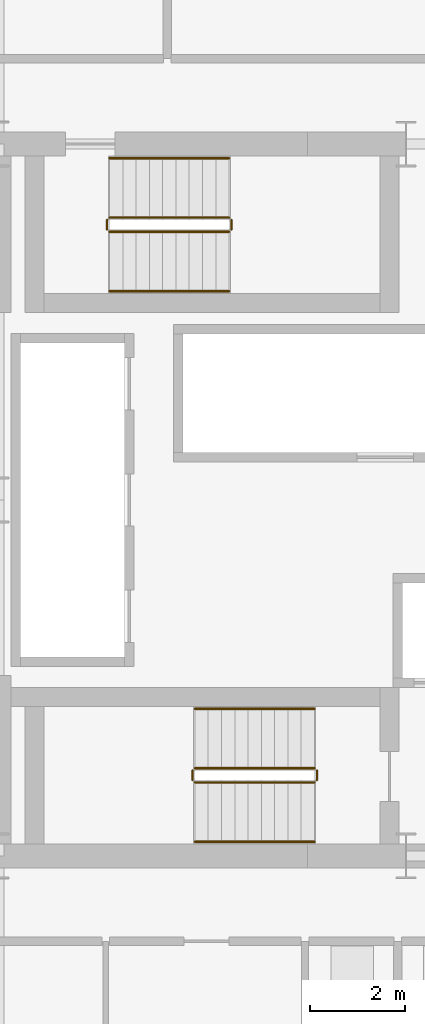
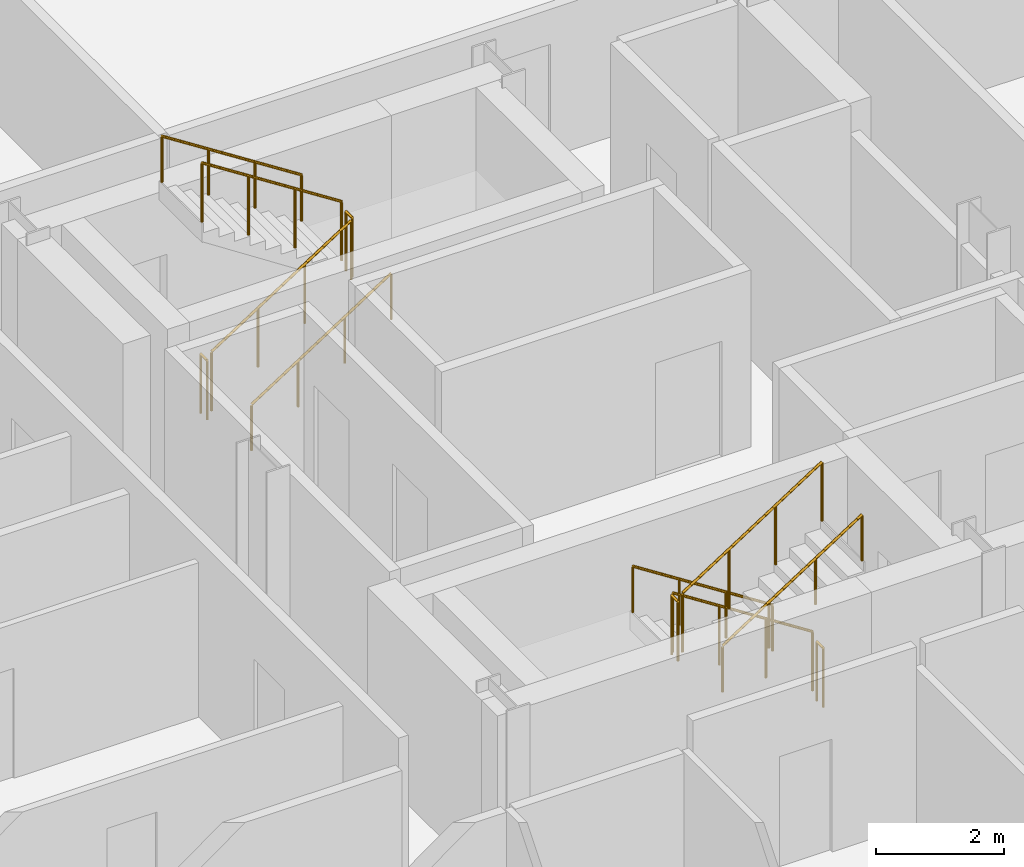
# One storey, part 26 of 27: 12 railings.
"""IFC4 building model written with IfcOpenShell, lengths in metres."""

import ifcopenshell
import ifcopenshell.guid

model = None  # the IFC model being written
_history = None  # IfcOwnerHistory: only IFC2X3 demands one
_inside = {}  # id of a spatial element -> (the spatial element, [elements in it])
_under = {}  # id of a project, library or spatial element -> (it, [spatial elements below it])
_declared = {}  # id of a project -> (the project, [libraries it declares])
_typed = {}  # id of a type object -> (the type object, [elements of that type])
_made_of = {}  # id of a material, layer set ... -> (it, [elements and type objects made of it])


def new_model(schema):
    """Start an empty IFC model of exactly this schema.

    Asked for "IFC4X3", IfcOpenShell would pick the latest addendum, in which some entities
    have other attributes; the version numbers below select the first issue.
    IFC2X3 requires an IfcOwnerHistory on every rooted entity: one is made here for all.
    """
    global model, _history
    if schema == "IFC4X3":
        model = ifcopenshell.file(schema_version=(4, 3, 0, 0))
    else:
        model = ifcopenshell.file(schema=schema)
    _inside.clear()
    _under.clear()
    _declared.clear()
    _typed.clear()
    _made_of.clear()
    _history = None
    if model.schema == "IFC2X3":
        org = make("IfcOrganization", Name="unknown")
        user = make(
            "IfcPersonAndOrganization",
            ThePerson=make("IfcPerson", FamilyName="unknown"),
            TheOrganization=org,
        )
        app = make(
            "IfcApplication",
            ApplicationDeveloper=org,
            Version="unknown",
            ApplicationFullName="unknown",
            ApplicationIdentifier="unknown",
        )
        _history = make(
            "IfcOwnerHistory",
            OwningUser=user,
            OwningApplication=app,
            ChangeAction="ADDED",
            CreationDate=0,
        )
    return model


def make(cls, **values):
    """One entity of the class cls with the attributes given. An attribute that is None is left unset."""
    return model.create_entity(
        cls, **{name: value for name, value in values.items() if value is not None}
    )


def rooted(cls, **values):
    """An entity with a GlobalId (a new one), such as an element, a storey or a relation."""
    return make(cls, GlobalId=ifcopenshell.guid.new(), OwnerHistory=_history, **values)


def si_unit(unit_type, name, prefix=None):
    """IfcSIUnit, for example si_unit("LENGTHUNIT", "METRE", prefix="MILLI")."""
    return make("IfcSIUnit", UnitType=unit_type, Prefix=prefix, Name=name)


def assignment(units):
    """IfcUnitAssignment: the units of a project."""
    return None if units is None else make("IfcUnitAssignment", Units=units)


def point(xyz):
    """IfcCartesianPoint."""
    return None if xyz is None else make("IfcCartesianPoint", Coordinates=xyz)


def direction(xyz):
    """IfcDirection."""
    return None if xyz is None else make("IfcDirection", DirectionRatios=xyz)


def frame(location, z_axis=None, x_axis=None):
    """IfcAxis2Placement3D, a coordinate frame: its origin and axes. An axis left out is left unset."""
    return make(
        "IfcAxis2Placement3D",
        Location=point(location),
        Axis=direction(z_axis),
        RefDirection=direction(x_axis),
    )


def frame_2d(location, x_axis=None):
    """IfcAxis2Placement2D, a coordinate frame in the plane: its origin and x axis."""
    return make(
        "IfcAxis2Placement2D", Location=point(location), RefDirection=direction(x_axis)
    )


def origin():
    """The frame at (0, 0, 0) with its axes left unset."""
    return frame((0.0, 0.0, 0.0))


def origin_2d():
    """The frame at (0, 0) in the plane with its x axis left unset."""
    return frame_2d((0.0, 0.0))


def place(relative_to, where):
    """IfcLocalPlacement: puts the frame where relative to a parent placement (None: the world)."""
    return make(
        "IfcLocalPlacement", PlacementRelTo=relative_to, RelativePlacement=where
    )


def context(
    kind, dimensions, precision=None, world=None, true_north=None, identifier=None
):
    """IfcGeometricRepresentationContext, for example the 3D "Model" context."""
    return make(
        "IfcGeometricRepresentationContext",
        ContextIdentifier=identifier,
        ContextType=kind,
        CoordinateSpaceDimension=dimensions,
        Precision=precision,
        WorldCoordinateSystem=world,
        TrueNorth=true_north,
    )


def subcontext(parent, identifier, kind, view, scale=None):
    """IfcGeometricRepresentationSubContext, for example "Body" below "Model"."""
    return make(
        "IfcGeometricRepresentationSubContext",
        ContextIdentifier=identifier,
        ContextType=kind,
        ParentContext=parent,
        TargetScale=scale,
        TargetView=view,
    )


def project(units=None, contexts=None):
    """IfcProject with its units and contexts."""
    return rooted(
        "IfcProject",
        Name="project",
        RepresentationContexts=contexts,
        UnitsInContext=assignment(units),
    )


def spatial(cls, under=None, at=None, **own):
    """A site, building, storey or space (cls), placed at a placement, below another one or the project."""
    s = rooted(cls, ObjectPlacement=at, **own)
    if under is not None:
        _under.setdefault(under.id(), (under, []))[1].append(s)
    return s


def profile(cls, at=None, kind="AREA", **sizes):
    """A parametric profile (cls). Its sizes go by their IFC names, for example OverallWidth=200.0."""
    return make(cls, ProfileType=kind, Position=at, **sizes)


def circle(**sizes):
    """IfcCircleProfileDef."""
    return profile("IfcCircleProfileDef", **sizes)


def extrude(swept, where, along, depth):
    """IfcExtrudedAreaSolid: the profile swept, set in the frame where, extruded along a direction by depth."""
    return make(
        "IfcExtrudedAreaSolid",
        SweptArea=swept,
        Position=where,
        ExtrudedDirection=direction(along),
        Depth=depth,
    )


def shape(context_of_items, identifier, shape_type, items):
    """IfcShapeRepresentation: the items that make up one representation, for example the "Body"."""
    return make(
        "IfcShapeRepresentation",
        ContextOfItems=context_of_items,
        RepresentationIdentifier=identifier,
        RepresentationType=shape_type,
        Items=items,
    )


def material(Name=None, Category=None):
    """IfcMaterial."""
    return make("IfcMaterial", Name=Name, Category=Category)


def made_of(thing, what):
    """Note that an element or type object is made of a material, layer set ...; save() writes the relation."""
    if what is not None:
        _made_of.setdefault(what.id(), (what, []))[1].append(thing)
    return thing


def type_object(cls, material=None, **own):
    """A type object (cls), such as IfcWallType, which elements share."""
    return made_of(rooted(cls, **own), material)


def element(
    cls,
    number,
    at=None,
    inside=None,
    cuts=None,
    type_object=None,
    material=None,
    context=None,
    identifier="Body",
    shape_type=None,
    held_by="IfcProductDefinitionShape",
    body=None,
    shapes=None,
    **own,
):
    """One element of the class cls, such as IfcWall. Its Tag is "e" and its number.

    at: its placement. inside: the storey or other place that contains it. cuts: it is an
    opening in that element (IfcRelVoidsElement). A single representation is given by context,
    identifier, shape_type and body (its items); several are given by shapes. held_by: the class
    of the entity that holds the representations. save() writes the other relations.
    """
    e = rooted(cls, Tag="e%d" % number, ObjectPlacement=at, **own)
    if body is not None:
        shapes = [shape(context, identifier, shape_type, body)]
    if shapes is not None:
        e.Representation = make(held_by, Representations=shapes)
    if inside is not None:
        _inside.setdefault(inside.id(), (inside, []))[1].append(e)
    if cuts is not None:
        rooted(
            "IfcRelVoidsElement", RelatingBuildingElement=cuts, RelatedOpeningElement=e
        )
    if type_object is not None:
        _typed.setdefault(type_object.id(), (type_object, []))[1].append(e)
    return made_of(e, material)


def aggregate(whole, parts):
    """IfcRelAggregates: a whole, such as a stair, and the parts it consists of."""
    return rooted("IfcRelAggregates", RelatingObject=whole, RelatedObjects=parts)


def save(model, path):
    """Write the relations noted so far, then the file.

    IfcRelAggregates (storeys below a building ...), IfcRelContainedInSpatialStructure (elements
    in a storey), IfcRelDefinesByType, IfcRelAssociatesMaterial and IfcRelDeclares: one each for
    every whole, place, type object, material and project.
    """
    for whole, parts in _under.values():
        aggregate(whole, parts)
    for where, things in _inside.values():
        rooted(
            "IfcRelContainedInSpatialStructure",
            RelatedElements=things,
            RelatingStructure=where,
        )
    for kind, things in _typed.values():
        rooted("IfcRelDefinesByType", RelatedObjects=things, RelatingType=kind)
    for what, things in _made_of.values():
        rooted("IfcRelAssociatesMaterial", RelatedObjects=things, RelatingMaterial=what)
    for by, libraries in _declared.values():
        rooted("IfcRelDeclares", RelatingContext=by, RelatedDefinitions=libraries)
    model.write(path)


model = new_model("IFC4")

# Units and contexts
model_context = context("Model", 3, precision=1e-05, world=origin(), true_north=direction((0.0, 1.0)))
body_context = subcontext(model_context, "Body", "Model", "MODEL_VIEW")
ifc_project = project(units=[si_unit("LENGTHUNIT", "METRE"), si_unit("AREAUNIT", "SQUARE_METRE"), si_unit("VOLUMEUNIT", "CUBIC_METRE"), si_unit("PLANEANGLEUNIT", "RADIAN"), si_unit("MASSUNIT", "GRAM", prefix="KILO")], contexts=[model_context])

# Site, building, storey
site_placement = place(None, origin())
site = spatial("IfcSite", under=ifc_project, at=site_placement, CompositionType="ELEMENT")
building_placement = place(site_placement, origin())
building = spatial("IfcBuilding", under=site, at=building_placement, Name="Barlavira Tower and Art Museum", CompositionType="ELEMENT")
storey_placement = place(building_placement, frame((0.0, 0.0, 50.39990234375)))
storey = spatial("IfcBuildingStorey", under=building, at=storey_placement, Name="L11", CompositionType="ELEMENT", Elevation=50.39990234375)

# Railings
ifc_material = material(Name="Brushed stainless steel", Category="steel")
railing_type_1 = type_object("IfcRailingType", Name="Interior Void and Landing Guard Railing 1150", PredefinedType="GUARDRAIL", material=ifc_material)
railing_1_placement = place(storey_placement, frame((0.14990234375, -5.64990234375, 0.18017578125)))
element("IfcRailing", 1, at=railing_1_placement, inside=storey, type_object=railing_type_1, Name="L11 ST-T1 stair guard 1", PredefinedType="GUARDRAIL", context=body_context, shape_type="SweptSolid", body=[
    extrude(circle(Radius=0.02392578125, at=origin_2d()), frame((0.0, 0.0, 1.1259765625), z_axis=(-0.841199657755, 0.0, 0.540724639528), x_axis=(0.0, -1.0, 0.0)), (0.0, 0.0, 1.0), 2.995849609375),
    extrude(circle(Radius=0.02099609375, at=origin_2d()), origin(), (0.0, 0.0, 1.0), 1.101806640625),
    extrude(circle(Radius=0.02099609375, at=origin_2d()), frame((-0.840087890625, 0.0, 0.5400390625)), (0.0, 0.0, 1.0), 1.101806640625),
    extrude(circle(Radius=0.02099609375, at=origin_2d()), frame((-1.679931640625, 0.0, 1.079833984375)), (0.0, 0.0, 1.0), 1.101806640625),
    extrude(circle(Radius=0.02099609375, at=origin_2d()), frame((-2.52001953125, 0.0, 1.619873046875)), (0.0, 0.0, 1.0), 1.101806640625),
])
railing_2_placement = place(storey_placement, frame((-2.419921875, -5.699951171875, 1.800048828125)))
element("IfcRailing", 2, at=railing_2_placement, inside=storey, type_object=railing_type_1, Name="L11 ST-T1 stair guard 2", PredefinedType="GUARDRAIL", context=body_context, shape_type="SweptSolid", body=[
    extrude(circle(Radius=0.02392578125, at=origin_2d()), frame((0.0, 0.0, 1.1259765625), z_axis=(0.0, -1.0, 0.0), x_axis=(1.0, 0.0, 0.0)), (0.0, 0.0, 1.0), 0.199951171875),
    extrude(circle(Radius=0.02099609375, at=origin_2d()), origin(), (0.0, 0.0, 1.0), 1.101806640625),
    extrude(circle(Radius=0.02099609375, at=origin_2d()), frame((0.0, -0.199951171875, 0.0)), (0.0, 0.0, 1.0), 1.101806640625),
])
railing_3_placement = place(storey_placement, frame((-2.3701171875, -5.949951171875, 1.97998046875)))
element("IfcRailing", 3, at=railing_3_placement, inside=storey, type_object=railing_type_1, Name="L11 ST-T1 stair guard 3", PredefinedType="GUARDRAIL", context=body_context, shape_type="SweptSolid", body=[
    extrude(circle(Radius=0.02392578125, at=origin_2d()), frame((0.0, 0.0, 1.1259765625), z_axis=(0.841162588446, 0.0, 0.540782303519), x_axis=(0.0, 1.0, 0.0)), (0.0, 0.0, 1.0), 2.995849609375),
    extrude(circle(Radius=0.02099609375, at=origin_2d()), origin(), (0.0, 0.0, 1.0), 1.101806640625),
    extrude(circle(Radius=0.02099609375, at=origin_2d()), frame((0.840087890625, 0.0, 0.5400390625)), (0.0, 0.0, 1.0), 1.101806640625),
    extrude(circle(Radius=0.02099609375, at=origin_2d()), frame((1.679931640625, 0.0, 1.080078125)), (0.0, 0.0, 1.0), 1.101806640625),
    extrude(circle(Radius=0.02099609375, at=origin_2d()), frame((2.52001953125, 0.0, 1.6201171875)), (0.0, 0.0, 1.0), 1.101806640625),
])
railing_4_placement = place(storey_placement, frame((0.199951171875, -5.699951171875, 0.0)))
element("IfcRailing", 4, at=railing_4_placement, inside=storey, type_object=railing_type_1, Name="L11 ST-T1 stair guard 4", PredefinedType="GUARDRAIL", context=body_context, shape_type="SweptSolid", body=[
    extrude(circle(Radius=0.02392578125, at=origin_2d()), frame((0.0, 0.0, 1.1259765625), z_axis=(0.0, -1.0, 0.0), x_axis=(1.0, 0.0, 0.0)), (0.0, 0.0, 1.0), 0.199951171875),
    extrude(circle(Radius=0.02099609375, at=origin_2d()), origin(), (0.0, 0.0, 1.0), 1.101806640625),
    extrude(circle(Radius=0.02099609375, at=origin_2d()), frame((0.0, -0.199951171875, 0.0)), (0.0, 0.0, 1.0), 1.101806640625),
])
railing_5_placement = place(storey_placement, frame((-4.169921875, 5.64990234375, 0.18017578125)))
element("IfcRailing", 5, at=railing_5_placement, inside=storey, type_object=railing_type_1, Name="L11 ST-T2 stair guard 1", PredefinedType="GUARDRAIL", context=body_context, shape_type="SweptSolid", body=[
    extrude(circle(Radius=0.02392578125, at=origin_2d()), frame((0.0, 0.0, 1.1259765625), z_axis=(0.841199657755, 0.0, 0.540724639528), x_axis=(0.0, 1.0, 0.0)), (0.0, 0.0, 1.0), 2.995849609375),
    extrude(circle(Radius=0.02099609375, at=origin_2d()), origin(), (0.0, 0.0, 1.0), 1.101806640625),
    extrude(circle(Radius=0.02099609375, at=origin_2d()), frame((0.840087890625, 0.0, 0.5400390625)), (0.0, 0.0, 1.0), 1.101806640625),
    extrude(circle(Radius=0.02099609375, at=origin_2d()), frame((1.679931640625, 0.0, 1.079833984375)), (0.0, 0.0, 1.0), 1.101806640625),
    extrude(circle(Radius=0.02099609375, at=origin_2d()), frame((2.52001953125, 0.0, 1.619873046875)), (0.0, 0.0, 1.0), 1.101806640625),
])
railing_6_placement = place(storey_placement, frame((-1.60009765625, 5.699951171875, 1.800048828125)))
element("IfcRailing", 6, at=railing_6_placement, inside=storey, type_object=railing_type_1, Name="L11 ST-T2 stair guard 2", PredefinedType="GUARDRAIL", context=body_context, shape_type="SweptSolid", body=[
    extrude(circle(Radius=0.02392578125, at=origin_2d()), frame((0.0, 0.0, 1.1259765625), z_axis=(0.0, 1.0, 0.0), x_axis=(-1.0, 0.0, 0.0)), (0.0, 0.0, 1.0), 0.199951171875),
    extrude(circle(Radius=0.02099609375, at=origin_2d()), origin(), (0.0, 0.0, 1.0), 1.101806640625),
    extrude(circle(Radius=0.02099609375, at=origin_2d()), frame((0.0, 0.199951171875, 0.0)), (0.0, 0.0, 1.0), 1.101806640625),
])
railing_7_placement = place(storey_placement, frame((-1.64990234375, 5.949951171875, 1.97998046875)))
element("IfcRailing", 7, at=railing_7_placement, inside=storey, type_object=railing_type_1, Name="L11 ST-T2 stair guard 3", PredefinedType="GUARDRAIL", context=body_context, shape_type="SweptSolid", body=[
    extrude(circle(Radius=0.02392578125, at=origin_2d()), frame((0.0, 0.0, 1.1259765625), z_axis=(-0.841162588446, 0.0, 0.540782303519), x_axis=(0.0, -1.0, 0.0)), (0.0, 0.0, 1.0), 2.995849609375),
    extrude(circle(Radius=0.02099609375, at=origin_2d()), origin(), (0.0, 0.0, 1.0), 1.101806640625),
    extrude(circle(Radius=0.02099609375, at=origin_2d()), frame((-0.840087890625, 0.0, 0.5400390625)), (0.0, 0.0, 1.0), 1.101806640625),
    extrude(circle(Radius=0.02099609375, at=origin_2d()), frame((-1.679931640625, 0.0, 1.080078125)), (0.0, 0.0, 1.0), 1.101806640625),
    extrude(circle(Radius=0.02099609375, at=origin_2d()), frame((-2.52001953125, 0.0, 1.6201171875)), (0.0, 0.0, 1.0), 1.101806640625),
])
railing_8_placement = place(storey_placement, frame((-4.219970703125, 5.699951171875, 0.0)))
element("IfcRailing", 8, at=railing_8_placement, inside=storey, type_object=railing_type_1, Name="L11 ST-T2 stair guard 4", PredefinedType="GUARDRAIL", context=body_context, shape_type="SweptSolid", body=[
    extrude(circle(Radius=0.02392578125, at=origin_2d()), frame((0.0, 0.0, 1.1259765625), z_axis=(0.0, 1.0, 0.0), x_axis=(-1.0, 0.0, 0.0)), (0.0, 0.0, 1.0), 0.199951171875),
    extrude(circle(Radius=0.02099609375, at=origin_2d()), origin(), (0.0, 0.0, 1.0), 1.101806640625),
    extrude(circle(Radius=0.02099609375, at=origin_2d()), frame((0.0, 0.199951171875, 0.0)), (0.0, 0.0, 1.0), 1.101806640625),
])
railing_type_2 = type_object("IfcRailingType", Name="Stair Pitch Tubular Steel Handrail 920", PredefinedType="HANDRAIL", material=ifc_material)
railing_9_placement = place(storey_placement, frame((0.14990234375, -4.39990234375, 0.18017578125)))
element("IfcRailing", 9, at=railing_9_placement, inside=storey, type_object=railing_type_2, Name="L11 ST-T1 stair handrail 1", PredefinedType="HANDRAIL", context=body_context, shape_type="SweptSolid", body=[
    extrude(circle(Radius=0.02392578125, at=origin_2d()), frame((0.0, 0.0, 0.8759765625), z_axis=(-0.841199657755, 0.0, 0.540724639528), x_axis=(0.0, -1.0, 0.0)), (0.0, 0.0, 1.0), 2.995849609375),
    extrude(circle(Radius=0.02099609375, at=origin_2d()), origin(), (0.0, 0.0, 1.0), 0.851806640625),
    extrude(circle(Radius=0.02099609375, at=origin_2d()), frame((-0.840087890625, 0.0, 0.5400390625)), (0.0, 0.0, 1.0), 0.851806640625),
    extrude(circle(Radius=0.02099609375, at=origin_2d()), frame((-1.679931640625, 0.0, 1.079833984375)), (0.0, 0.0, 1.0), 0.851806640625),
    extrude(circle(Radius=0.02099609375, at=origin_2d()), frame((-2.52001953125, 0.0, 1.619873046875)), (0.0, 0.0, 1.0), 0.851806640625),
])
railing_10_placement = place(storey_placement, frame((-2.3701171875, -7.199951171875, 1.97998046875)))
element("IfcRailing", 10, at=railing_10_placement, inside=storey, type_object=railing_type_2, Name="L11 ST-T1 stair handrail 2", PredefinedType="HANDRAIL", context=body_context, shape_type="SweptSolid", body=[
    extrude(circle(Radius=0.02392578125, at=origin_2d()), frame((0.0, 0.0, 0.8759765625), z_axis=(0.841162588446, 0.0, 0.540782303519), x_axis=(0.0, 1.0, 0.0)), (0.0, 0.0, 1.0), 2.995849609375),
    extrude(circle(Radius=0.02099609375, at=origin_2d()), origin(), (0.0, 0.0, 1.0), 0.851806640625),
    extrude(circle(Radius=0.02099609375, at=origin_2d()), frame((0.840087890625, 0.0, 0.5400390625)), (0.0, 0.0, 1.0), 0.851806640625),
    extrude(circle(Radius=0.02099609375, at=origin_2d()), frame((1.679931640625, 0.0, 1.080078125)), (0.0, 0.0, 1.0), 0.851806640625),
    extrude(circle(Radius=0.02099609375, at=origin_2d()), frame((2.52001953125, 0.0, 1.6201171875)), (0.0, 0.0, 1.0), 0.851806640625),
])
railing_11_placement = place(storey_placement, frame((-4.169921875, 4.39990234375, 0.18017578125)))
element("IfcRailing", 11, at=railing_11_placement, inside=storey, type_object=railing_type_2, Name="L11 ST-T2 stair handrail 1", PredefinedType="HANDRAIL", context=body_context, shape_type="SweptSolid", body=[
    extrude(circle(Radius=0.02392578125, at=origin_2d()), frame((0.0, 0.0, 0.8759765625), z_axis=(0.841199657755, 0.0, 0.540724639528), x_axis=(0.0, 1.0, 0.0)), (0.0, 0.0, 1.0), 2.995849609375),
    extrude(circle(Radius=0.02099609375, at=origin_2d()), origin(), (0.0, 0.0, 1.0), 0.851806640625),
    extrude(circle(Radius=0.02099609375, at=origin_2d()), frame((0.840087890625, 0.0, 0.5400390625)), (0.0, 0.0, 1.0), 0.851806640625),
    extrude(circle(Radius=0.02099609375, at=origin_2d()), frame((1.679931640625, 0.0, 1.079833984375)), (0.0, 0.0, 1.0), 0.851806640625),
    extrude(circle(Radius=0.02099609375, at=origin_2d()), frame((2.52001953125, 0.0, 1.619873046875)), (0.0, 0.0, 1.0), 0.851806640625),
])
railing_12_placement = place(storey_placement, frame((-1.64990234375, 7.199951171875, 1.97998046875)))
element("IfcRailing", 12, at=railing_12_placement, inside=storey, type_object=railing_type_2, Name="L11 ST-T2 stair handrail 2", PredefinedType="HANDRAIL", context=body_context, shape_type="SweptSolid", body=[
    extrude(circle(Radius=0.02392578125, at=origin_2d()), frame((0.0, 0.0, 0.8759765625), z_axis=(-0.841162588446, 0.0, 0.540782303519), x_axis=(0.0, -1.0, 0.0)), (0.0, 0.0, 1.0), 2.995849609375),
    extrude(circle(Radius=0.02099609375, at=origin_2d()), origin(), (0.0, 0.0, 1.0), 0.851806640625),
    extrude(circle(Radius=0.02099609375, at=origin_2d()), frame((-0.840087890625, 0.0, 0.5400390625)), (0.0, 0.0, 1.0), 0.851806640625),
    extrude(circle(Radius=0.02099609375, at=origin_2d()), frame((-1.679931640625, 0.0, 1.080078125)), (0.0, 0.0, 1.0), 0.851806640625),
    extrude(circle(Radius=0.02099609375, at=origin_2d()), frame((-2.52001953125, 0.0, 1.6201171875)), (0.0, 0.0, 1.0), 0.851806640625),
])

save(model, "model.ifc")
